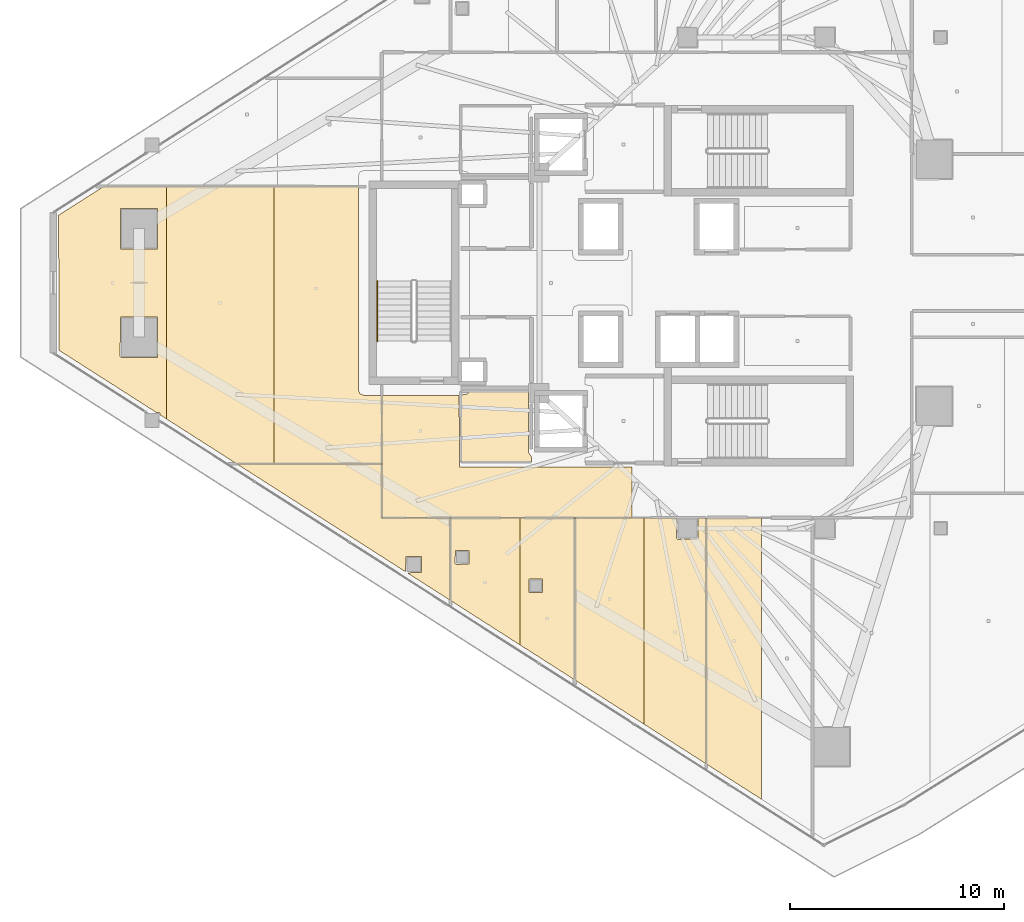
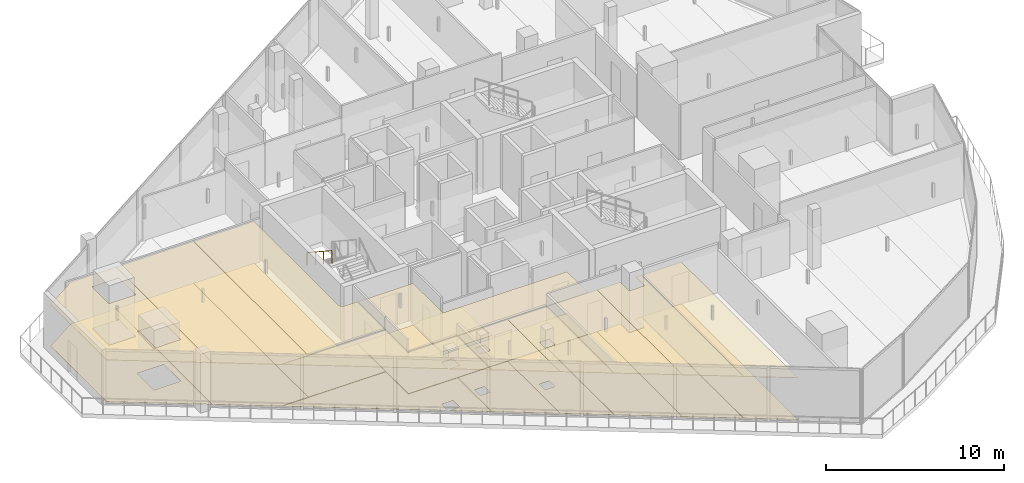
# One storey, part 28 of 33: 21 coverings, 1 railing.
"""IFC4 building model written with IfcOpenShell, lengths in metres."""

from ifc_helpers import new_model, si_unit, direction, frame, origin, origin_2d, place, context, subcontext, project, spatial, polyline, circle, outline, extrude, material, layer, layer_set, type_object, element, save


model = new_model("IFC4")

# Units and contexts
model_context = context("Model", 3, precision=1e-05, world=origin(), true_north=direction((0.0, 1.0)))
body_context = subcontext(model_context, "Body", "Model", "MODEL_VIEW")
ifc_project = project(units=[si_unit("LENGTHUNIT", "METRE"), si_unit("AREAUNIT", "SQUARE_METRE"), si_unit("VOLUMEUNIT", "CUBIC_METRE"), si_unit("PLANEANGLEUNIT", "RADIAN"), si_unit("MASSUNIT", "GRAM", prefix="KILO")], contexts=[model_context])

# Site, building, storey
site_placement = place(None, origin())
site = spatial("IfcSite", under=ifc_project, at=site_placement, CompositionType="ELEMENT")
building_placement = place(site_placement, origin())
building = spatial("IfcBuilding", under=site, at=building_placement, Name="Qorvath Tower", CompositionType="ELEMENT")
storey_placement = place(building_placement, frame((0.0, 0.0, 237.449951171875)))
storey = spatial("IfcBuildingStorey", under=building, at=storey_placement, Name="L55", CompositionType="ELEMENT", Elevation=237.449951171875)

# Coverings
ifc_material_1 = material(Name="Acoustic mineral fibre ceiling tile", Category="gypsum")
ifc_layer_1 = layer(ifc_material_1, 0.030029296875)
ifc_layer_set_1 = layer_set([ifc_layer_1], Name="COV-CEIL")
covering_type_1 = type_object("IfcCoveringType", Name="COV-CEIL", PredefinedType="CEILING", material=ifc_layer_set_1)
covering_1_placement = place(storey_placement, frame((0.0, 0.0, 2.85009765625)))
element("IfcCovering", 1, at=covering_1_placement, inside=storey, type_object=covering_type_1, Name="L55 Suspended Acoustic Ceiling 009", PredefinedType="CEILING", context=body_context, shape_type="SweptSolid", body=[
    extrude(outline(polyline([(-34.22509765625, -8.580078125), (-34.251220703125, -5.239990234375), (-37.844970703125, -5.239990234375), (-37.844970703125, -10.945068359375), (-26.183349609375, -10.945068359375), (-26.183349609375, -8.574951171875), (-34.22509765625, -8.580078125)])), origin(), (0.0, 0.0, 1.0), 0.030029296875),
])
covering_2_placement = place(storey_placement, frame((0.0, 0.0, 2.85009765625)))
element("IfcCovering", 2, at=covering_2_placement, inside=storey, type_object=covering_type_1, Name="L55 Suspended Acoustic Ceiling 021", PredefinedType="CEILING", context=body_context, shape_type="SweptSolid", body=[
    extrude(outline(polyline([(-34.64501953125, -10.962890625), (-34.64501953125, -14.8134765625), (-31.419677734375, -16.875), (-31.419677734375, -10.962890625), (-34.64501953125, -10.962890625)]), holes=[polyline([(-34.439208984375, -13.0673828125), (-34.421630859375, -12.47509765625), (-33.786865234375, -12.47509765625), (-33.786865234375, -13.10986328125), (-34.379150390625, -13.12744140625), (-34.439208984375, -13.0673828125)])]), origin(), (0.0, 0.0, 1.0), 0.030029296875),
])
covering_3_placement = place(storey_placement, frame((0.0, 0.0, 2.85009765625)))
element("IfcCovering", 3, at=covering_3_placement, inside=storey, type_object=covering_type_1, Name="L55 Suspended Acoustic Ceiling 022", PredefinedType="CEILING", context=body_context, shape_type="SweptSolid", body=[
    extrude(outline(polyline([(-31.419677734375, -10.962890625), (-31.419677734375, -16.875), (-28.86767578125, -18.505859375), (-28.86767578125, -10.962890625), (-31.419677734375, -10.962890625)]), holes=[polyline([(-30.99462890625, -14.441650390625), (-30.99462890625, -13.806884765625), (-30.35986328125, -13.806884765625), (-30.35986328125, -14.441650390625), (-30.99462890625, -14.441650390625)])]), origin(), (0.0, 0.0, 1.0), 0.030029296875),
])
covering_4_placement = place(storey_placement, frame((0.0, 0.0, 2.85009765625)))
element("IfcCovering", 4, at=covering_4_placement, inside=storey, type_object=covering_type_1, Name="L55 Suspended Acoustic Ceiling 023", PredefinedType="CEILING", context=body_context, shape_type="SweptSolid", body=[
    extrude(outline(polyline([(-28.849609375, -10.962890625), (-28.849609375, -18.517333984375), (-25.61865234375, -20.58251953125), (-25.61865234375, -10.962890625), (-28.849609375, -10.962890625)])), origin(), (0.0, 0.0, 1.0), 0.030029296875),
])
covering_5_placement = place(storey_placement, frame((0.0, 0.0, 2.85009765625)))
element("IfcCovering", 5, at=covering_5_placement, inside=storey, type_object=covering_type_1, Name="L55 Suspended Acoustic Ceiling 024", PredefinedType="CEILING", context=body_context, shape_type="SweptSolid", body=[
    extrude(outline(polyline([(-25.61865234375, -10.962890625), (-25.61865234375, -20.58251953125), (-22.738037109375, -22.423583984375), (-22.738037109375, -10.962890625), (-23.105224609375, -10.962890625), (-23.107666015625, -11.9423828125), (-24.050048828125, -11.9599609375), (-24.110107421875, -11.89990234375), (-24.0947265625, -10.962890625), (-25.61865234375, -10.962890625)])), origin(), (0.0, 0.0, 1.0), 0.030029296875),
])
covering_6_placement = place(storey_placement, frame((0.0, 0.0, 2.85009765625)))
element("IfcCovering", 6, at=covering_6_placement, inside=storey, type_object=covering_type_1, Name="L55 Suspended Acoustic Ceiling 025", PredefinedType="CEILING", context=body_context, shape_type="SweptSolid", body=[
    extrude(outline(polyline([(-22.719970703125, -10.962890625), (-22.719970703125, -22.43505859375), (-20.14794921875, -24.078857421875), (-20.14794921875, -10.962890625), (-22.719970703125, -10.962890625)])), origin(), (0.0, 0.0, 1.0), 0.030029296875),
])
covering_7_placement = place(storey_placement, frame((0.0, 0.0, 2.85009765625)))
element("IfcCovering", 7, at=covering_7_placement, inside=storey, type_object=covering_type_1, Name="L55 Suspended Acoustic Ceiling 039", PredefinedType="CEILING", context=body_context, shape_type="SweptSolid", body=[
    extrude(outline(polyline([(-37.863037109375, -8.440185546875), (-44.616943359375, -8.440185546875), (-36.745361328125, -13.470947265625), (-36.732177734375, -12.76806640625), (-35.997314453125, -12.76806640625), (-35.997314453125, -13.5029296875), (-36.66796875, -13.5205078125), (-34.6630859375, -14.802001953125), (-34.6630859375, -10.962890625), (-37.863037109375, -10.9580078125), (-37.863037109375, -8.440185546875)])), origin(), (0.0, 0.0, 1.0), 0.030029296875),
])
covering_8_placement = place(storey_placement, frame((0.0, 0.0, 2.85009765625)))
element("IfcCovering", 8, at=covering_8_placement, inside=storey, type_object=covering_type_1, Name="L55 Suspended Acoustic Ceiling 040", PredefinedType="CEILING", context=body_context, shape_type="SweptSolid", body=[
    extrude(outline(polyline([(-52.921875, 3.156005859375), (-52.9111328125, -3.13916015625), (-48.372802734375, -6.03955078125), (-48.2109375, -6.05712890625), (-48.193359375, -6.154296875), (-47.90234375, -6.34033203125), (-47.90234375, 4.485595703125), (-50.836669921875, 4.486083984375), (-52.921875, 3.156005859375)]), holes=[polyline([(-50.056884765625, -3.427734375), (-50.039306640625, -1.58544921875), (-48.304443359375, -1.58544921875), (-48.304443359375, -3.47021484375), (-49.996826171875, -3.48779296875), (-50.056884765625, -3.427734375)]), polyline([(-50.039306640625, 1.58544921875), (-50.039306640625, 3.47021484375), (-48.304443359375, 3.47021484375), (-48.304443359375, 1.58544921875), (-50.039306640625, 1.58544921875)])]), origin(), (0.0, 0.0, 1.0), 0.030029296875),
])
covering_9_placement = place(storey_placement, frame((0.0, 0.0, 2.85009765625)))
element("IfcCovering", 9, at=covering_9_placement, inside=storey, type_object=covering_type_1, Name="L55 Suspended Acoustic Ceiling 041", PredefinedType="CEILING", context=body_context, shape_type="SweptSolid", body=[
    extrude(outline(polyline([(-47.90234375, 4.485595703125), (-47.90234375, -6.34033203125), (-44.64501953125, -8.422119140625), (-42.882568359375, -8.422119140625), (-42.882568359375, 4.485107421875), (-47.90234375, 4.485595703125)])), origin(), (0.0, 0.0, 1.0), 0.030029296875),
])
covering_10_placement = place(storey_placement, frame((0.0, 0.0, 2.85009765625)))
element("IfcCovering", 10, at=covering_10_placement, inside=storey, type_object=covering_type_1, Name="L55 Suspended Acoustic Ceiling 042", PredefinedType="CEILING", context=body_context, shape_type="SweptSolid", body=[
    extrude(outline(polyline([(-42.882568359375, 4.485107421875), (-42.882568359375, -8.422119140625), (-37.863037109375, -8.422119140625), (-37.863037109375, -5.239990234375), (-38.699951171875, -5.239990234375), (-38.876708984375, -5.166748046875), (-38.949951171875, -4.989990234375), (-38.949951171875, 4.484619140625), (-42.882568359375, 4.485107421875)])), origin(), (0.0, 0.0, 1.0), 0.030029296875),
])
ifc_material_2 = material(Name="Low-VOC modular carpet tile", Category="textile")
ifc_layer_2 = layer(ifc_material_2, 0.014892578125)
ifc_layer_set_2 = layer_set([ifc_layer_2], Name="COV-FLOOR-CPT")
covering_type_2 = type_object("IfcCoveringType", Name="COV-FLOOR-CPT", PredefinedType="FLOORING", material=ifc_layer_set_2)
covering_11_placement = place(storey_placement, origin())
element("IfcCovering", 11, at=covering_11_placement, inside=storey, type_object=covering_type_2, Name="L55 Floor Finish 021", PredefinedType="FLOORING", context=body_context, shape_type="SweptSolid", body=[
    extrude(outline(polyline([(-34.64501953125, -10.962890625), (-34.64501953125, -14.8134765625), (-31.419677734375, -16.875), (-31.419677734375, -10.962890625), (-34.64501953125, -10.962890625)]), holes=[polyline([(-34.439208984375, -13.0673828125), (-34.421630859375, -12.47509765625), (-33.786865234375, -12.47509765625), (-33.786865234375, -13.10986328125), (-34.379150390625, -13.12744140625), (-34.439208984375, -13.0673828125)])]), origin(), (0.0, 0.0, 1.0), 0.01513671875),
])
covering_12_placement = place(storey_placement, origin())
element("IfcCovering", 12, at=covering_12_placement, inside=storey, type_object=covering_type_2, Name="L55 Floor Finish 022", PredefinedType="FLOORING", context=body_context, shape_type="SweptSolid", body=[
    extrude(outline(polyline([(-31.419677734375, -10.962890625), (-31.419677734375, -16.875), (-28.86767578125, -18.505859375), (-28.86767578125, -10.962890625), (-31.419677734375, -10.962890625)]), holes=[polyline([(-30.99462890625, -14.441650390625), (-30.99462890625, -13.806884765625), (-30.35986328125, -13.806884765625), (-30.35986328125, -14.441650390625), (-30.99462890625, -14.441650390625)])]), origin(), (0.0, 0.0, 1.0), 0.01513671875),
])
covering_13_placement = place(storey_placement, origin())
element("IfcCovering", 13, at=covering_13_placement, inside=storey, type_object=covering_type_2, Name="L55 Floor Finish 023", PredefinedType="FLOORING", context=body_context, shape_type="SweptSolid", body=[
    extrude(outline(polyline([(-28.849609375, -10.962890625), (-28.849609375, -18.517333984375), (-25.61865234375, -20.58251953125), (-25.61865234375, -10.962890625), (-28.849609375, -10.962890625)])), origin(), (0.0, 0.0, 1.0), 0.01513671875),
])
covering_14_placement = place(storey_placement, origin())
element("IfcCovering", 14, at=covering_14_placement, inside=storey, type_object=covering_type_2, Name="L55 Floor Finish 024", PredefinedType="FLOORING", context=body_context, shape_type="SweptSolid", body=[
    extrude(outline(polyline([(-25.61865234375, -10.962890625), (-25.61865234375, -20.58251953125), (-22.738037109375, -22.423583984375), (-22.738037109375, -10.962890625), (-23.105224609375, -10.962890625), (-23.107666015625, -11.9423828125), (-24.050048828125, -11.9599609375), (-24.110107421875, -11.89990234375), (-24.0947265625, -10.962890625), (-25.61865234375, -10.962890625)])), origin(), (0.0, 0.0, 1.0), 0.01513671875),
])
covering_15_placement = place(storey_placement, origin())
element("IfcCovering", 15, at=covering_15_placement, inside=storey, type_object=covering_type_2, Name="L55 Floor Finish 025", PredefinedType="FLOORING", context=body_context, shape_type="SweptSolid", body=[
    extrude(outline(polyline([(-22.719970703125, -10.962890625), (-22.719970703125, -22.43505859375), (-20.14794921875, -24.078857421875), (-20.14794921875, -10.962890625), (-22.719970703125, -10.962890625)])), origin(), (0.0, 0.0, 1.0), 0.01513671875),
])
covering_16_placement = place(storey_placement, origin())
element("IfcCovering", 16, at=covering_16_placement, inside=storey, type_object=covering_type_2, Name="L55 Floor Finish 039", PredefinedType="FLOORING", context=body_context, shape_type="SweptSolid", body=[
    extrude(outline(polyline([(-37.863037109375, -8.440185546875), (-44.616943359375, -8.440185546875), (-36.745361328125, -13.470947265625), (-36.732177734375, -12.76806640625), (-35.997314453125, -12.76806640625), (-35.997314453125, -13.5029296875), (-36.66796875, -13.5205078125), (-34.6630859375, -14.802001953125), (-34.6630859375, -10.962890625), (-37.863037109375, -10.9580078125), (-37.863037109375, -8.440185546875)])), origin(), (0.0, 0.0, 1.0), 0.01513671875),
])
covering_17_placement = place(storey_placement, origin())
element("IfcCovering", 17, at=covering_17_placement, inside=storey, type_object=covering_type_2, Name="L55 Floor Finish 040", PredefinedType="FLOORING", context=body_context, shape_type="SweptSolid", body=[
    extrude(outline(polyline([(-52.921875, 3.156005859375), (-52.9111328125, -3.13916015625), (-48.372802734375, -6.03955078125), (-48.2109375, -6.05712890625), (-48.193359375, -6.154296875), (-47.90234375, -6.34033203125), (-47.90234375, 4.485595703125), (-50.836669921875, 4.486083984375), (-52.921875, 3.156005859375)]), holes=[polyline([(-50.056884765625, -3.427734375), (-50.039306640625, -1.58544921875), (-48.304443359375, -1.58544921875), (-48.304443359375, -3.47021484375), (-49.996826171875, -3.48779296875), (-50.056884765625, -3.427734375)]), polyline([(-50.039306640625, 1.58544921875), (-50.039306640625, 3.47021484375), (-48.304443359375, 3.47021484375), (-48.304443359375, 1.58544921875), (-50.039306640625, 1.58544921875)])]), origin(), (0.0, 0.0, 1.0), 0.01513671875),
])
covering_18_placement = place(storey_placement, origin())
element("IfcCovering", 18, at=covering_18_placement, inside=storey, type_object=covering_type_2, Name="L55 Floor Finish 041", PredefinedType="FLOORING", context=body_context, shape_type="SweptSolid", body=[
    extrude(outline(polyline([(-47.90234375, 4.485595703125), (-47.90234375, -6.34033203125), (-44.64501953125, -8.422119140625), (-42.882568359375, -8.422119140625), (-42.882568359375, 4.485107421875), (-47.90234375, 4.485595703125)])), origin(), (0.0, 0.0, 1.0), 0.01513671875),
])
covering_19_placement = place(storey_placement, origin())
element("IfcCovering", 19, at=covering_19_placement, inside=storey, type_object=covering_type_2, Name="L55 Floor Finish 042", PredefinedType="FLOORING", context=body_context, shape_type="SweptSolid", body=[
    extrude(outline(polyline([(-42.882568359375, 4.485107421875), (-42.882568359375, -8.422119140625), (-37.863037109375, -8.422119140625), (-37.863037109375, -5.239990234375), (-38.699951171875, -5.239990234375), (-38.876708984375, -5.166748046875), (-38.949951171875, -4.989990234375), (-38.949951171875, 4.484619140625), (-42.882568359375, 4.485107421875)])), origin(), (0.0, 0.0, 1.0), 0.01513671875),
])
ifc_material_3 = material(Name="Polished epoxy terrazzo flooring", Category="concrete")
ifc_layer_3 = layer(ifc_material_3, 0.02001953125)
ifc_layer_set_3 = layer_set([ifc_layer_3], Name="COV-FLOOR-TRZ")
covering_type_3 = type_object("IfcCoveringType", Name="COV-FLOOR-TRZ", PredefinedType="FLOORING", material=ifc_layer_set_3)
covering_20_placement = place(storey_placement, origin())
element("IfcCovering", 20, at=covering_20_placement, inside=storey, type_object=covering_type_3, Name="L55 Floor Finish 007", PredefinedType="FLOORING", context=body_context, shape_type="SweptSolid", body=[
    extrude(outline(polyline([(-30.885009765625, -8.108154296875), (-31.010009765625, -7.909912109375), (-31.010009765625, -5.054931640625), (-33.786865234375, -5.054931640625), (-33.833251953125, -5.166748046875), (-34.175048828125, -5.239990234375), (-34.175048828125, -8.344970703125), (-30.885009765625, -8.344970703125), (-30.885009765625, -8.108154296875)])), origin(), (0.0, 0.0, 1.0), 0.01513671875),
])
covering_21_placement = place(storey_placement, origin())
element("IfcCovering", 21, at=covering_21_placement, inside=storey, type_object=covering_type_3, Name="L55 Floor Finish 009", PredefinedType="FLOORING", context=body_context, shape_type="SweptSolid", body=[
    extrude(outline(polyline([(-34.22509765625, -8.580078125), (-34.251220703125, -5.239990234375), (-37.844970703125, -5.239990234375), (-37.844970703125, -10.945068359375), (-26.183349609375, -10.945068359375), (-26.183349609375, -8.574951171875), (-34.22509765625, -8.580078125)])), origin(), (0.0, 0.0, 1.0), 0.01513671875),
])

# Railing
ifc_material_4 = material(Name="Brushed stainless steel AISI 304", Category="steel")
railing_type = type_object("IfcRailingType", Name="RL-STR-HND", PredefinedType="HANDRAIL", material=ifc_material_4)
railing_placement = place(storey_placement, frame((-38.06005859375, 0.080078125, 2.209228515625)))
element("IfcRailing", 22, at=railing_placement, inside=storey, type_object=railing_type, Name="L55 TS3 stair handrail 2", PredefinedType="HANDRAIL", context=body_context, shape_type="SweptSolid", body=[
    extrude(circle(Radius=0.02392578125, at=origin_2d()), frame((0.0, 0.0, 0.8759765625), z_axis=(0.0, -0.835597507184, 0.549342157483), x_axis=(1.0, 0.0, 0.0)), (0.0, 0.0, 1.0), 3.35107421875),
    extrude(circle(Radius=0.02099609375, at=origin_2d()), origin(), (0.0, 0.0, 1.0), 0.851806640625),
    extrude(circle(Radius=0.02099609375, at=origin_2d()), frame((0.0, -0.933349609375, 0.613525390625)), (0.0, 0.0, 1.0), 0.851806640625),
    extrude(circle(Radius=0.02099609375, at=origin_2d()), frame((0.0, -1.86669921875, 1.227294921875)), (0.0, 0.0, 1.0), 0.851806640625),
    extrude(circle(Radius=0.02099609375, at=origin_2d()), frame((0.0, -2.800048828125, 1.8408203125)), (0.0, 0.0, 1.0), 0.851806640625),
])

save(model, "model.ifc")
